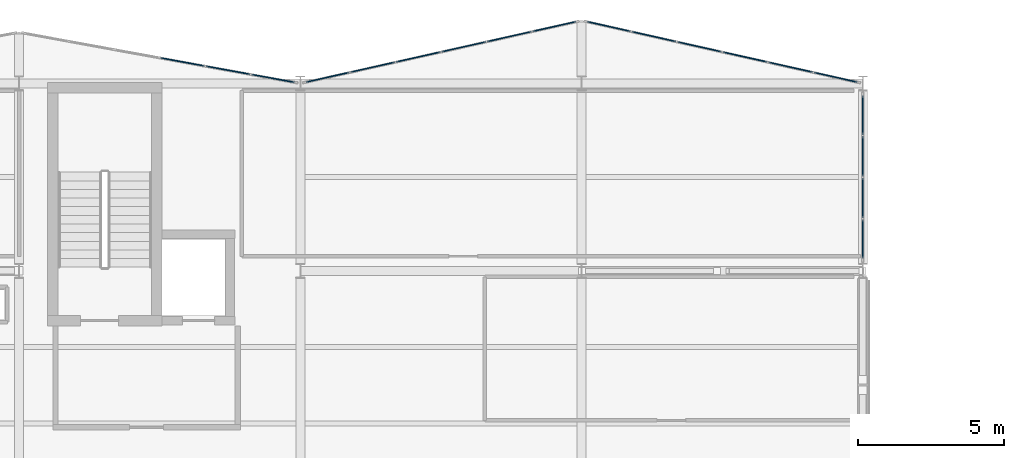
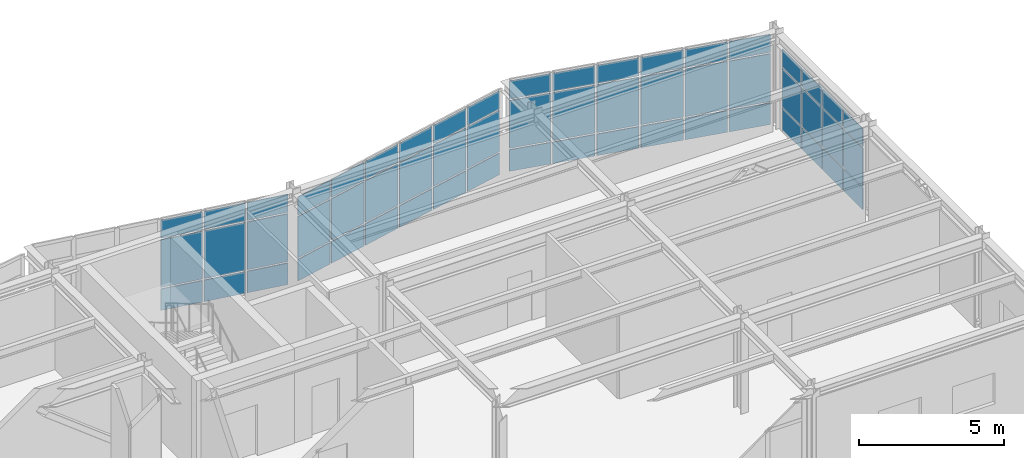
# One storey, part 56 of 76: 57 plates, 4 elements without a shape of their own.
"""IFC4 building model written with IfcOpenShell, lengths in metres."""

from ifc_helpers import new_model, si_unit, direction, frame, origin, origin_2d, place, context, subcontext, project, spatial, rectangle, extrude, material, layer, layer_set, type_object, element, aggregate, save


model = new_model("IFC4")

# Units and contexts
model_context = context("Model", 3, precision=1e-05, world=origin(), true_north=direction((0.0, 1.0)))
body_context = subcontext(model_context, "Body", "Model", "MODEL_VIEW")
ifc_project = project(units=[si_unit("LENGTHUNIT", "METRE"), si_unit("AREAUNIT", "SQUARE_METRE"), si_unit("VOLUMEUNIT", "CUBIC_METRE"), si_unit("PLANEANGLEUNIT", "RADIAN"), si_unit("MASSUNIT", "GRAM", prefix="KILO")], contexts=[model_context])

# Site, building, storey
site_placement = place(None, origin())
site = spatial("IfcSite", under=ifc_project, at=site_placement, CompositionType="ELEMENT")
building_placement = place(site_placement, origin())
building = spatial("IfcBuilding", under=site, at=building_placement, Name="Nordkorset Police Headquarters", CompositionType="ELEMENT")
storey_placement = place(building_placement, frame((0.0, 0.0, 13.64990234375)))
storey = spatial("IfcBuildingStorey", under=building, at=storey_placement, Name="L03", CompositionType="ELEMENT", Elevation=13.64990234375)

# Curtain wall, plates
ifc_material_1 = material(Name="Aluminium alloy AW-6060", Category="aluminium")
ifc_layer_1 = layer(ifc_material_1, 0.179931640625, Name="Aluminium alloy AW-6060")
ifc_layer_set_1 = layer_set([ifc_layer_1], Name="Aluminium alloy AW-6060")
curtain_wall_type_1 = type_object("IfcCurtainWallType", Name="CW_Unit_948x392", PredefinedType="USERDEFINED", material=ifc_layer_set_1)
curtain_wall_1_placement = place(storey_placement, origin())
curtain_wall_1 = element("IfcCurtainWall", 1, at=curtain_wall_1_placement, inside=storey, type_object=curtain_wall_type_1, Name="Unitised Curtain Wall L03 V2N-3", ObjectType="UNITISED CURTAIN WALL", PredefinedType="USERDEFINED")
ifc_material_2 = material(Name="Low-iron triple glazing", Category="glass")
ifc_layer_2 = layer(ifc_material_2, 0.035888671875, Name="Low-iron triple glazing")
ifc_layer_set_2 = layer_set([ifc_layer_2], Name="Low-iron triple glazing")
plate_type = type_object("IfcPlateType", Name="CW_Panel_TripleGlazing_36", PredefinedType="CURTAIN_PANEL", material=ifc_layer_set_2)
plate_1_placement = place(storey_placement, frame((63.177001953125, 117.533447265625, 0.06494140625), z_axis=(0.0, 0.0, 1.0), x_axis=(0.983787934979, -0.179335715876, 0.0)))
plate_1 = element("IfcPlate", 2, at=plate_1_placement, type_object=plate_type, Name="CW-65 panel 4.1", PredefinedType="CURTAIN_PANEL", context=body_context, shape_type="SweptSolid", body=[
    extrude(rectangle(XDim=1.5146484375, YDim=0.035888671875, at=origin_2d()), origin(), (0.0, 0.0, 1.0), 0.902587890625),
])
plate_2_placement = place(storey_placement, frame((63.177001953125, 117.533447265625, 1.03271484375), z_axis=(0.0, 0.0, 1.0), x_axis=(0.983787934979, -0.179335715876, 0.0)))
plate_2 = element("IfcPlate", 3, at=plate_2_placement, type_object=plate_type, Name="CW-65 panel 4.2", PredefinedType="CURTAIN_PANEL", context=body_context, shape_type="SweptSolid", body=[
    extrude(rectangle(XDim=1.5146484375, YDim=0.035888671875, at=origin_2d()), origin(), (0.0, 0.0, 1.0), 2.0048828125),
])
plate_3_placement = place(storey_placement, frame((63.177001953125, 117.533447265625, 3.1025390625), z_axis=(0.0, 0.0, 1.0), x_axis=(0.983787934979, -0.179335715876, 0.0)))
plate_3 = element("IfcPlate", 4, at=plate_3_placement, type_object=plate_type, Name="CW-65 panel 4.3", PredefinedType="CURTAIN_PANEL", context=body_context, shape_type="SweptSolid", body=[
    extrude(rectangle(XDim=1.5146484375, YDim=0.035888671875, at=origin_2d()), origin(), (0.0, 0.0, 1.0), 0.75244140625),
])
plate_4_placement = place(storey_placement, frame((64.731201171875, 117.25, 0.06494140625), z_axis=(0.0, 0.0, 1.0), x_axis=(0.983787934979, -0.179335715876, 0.0)))
plate_4 = element("IfcPlate", 5, at=plate_4_placement, type_object=plate_type, Name="CW-65 panel 5.1", PredefinedType="CURTAIN_PANEL", context=body_context, shape_type="SweptSolid", body=[
    extrude(rectangle(XDim=1.5146484375, YDim=0.035888671875, at=origin_2d()), origin(), (0.0, 0.0, 1.0), 0.902587890625),
])
plate_5_placement = place(storey_placement, frame((64.731201171875, 117.25, 1.03271484375), z_axis=(0.0, 0.0, 1.0), x_axis=(0.983787934979, -0.179335715876, 0.0)))
plate_5 = element("IfcPlate", 6, at=plate_5_placement, type_object=plate_type, Name="CW-65 panel 5.2", PredefinedType="CURTAIN_PANEL", context=body_context, shape_type="SweptSolid", body=[
    extrude(rectangle(XDim=1.5146484375, YDim=0.035888671875, at=origin_2d()), origin(), (0.0, 0.0, 1.0), 2.0048828125),
])
plate_6_placement = place(storey_placement, frame((64.731201171875, 117.25, 3.1025390625), z_axis=(0.0, 0.0, 1.0), x_axis=(0.983787934979, -0.179335715876, 0.0)))
plate_6 = element("IfcPlate", 7, at=plate_6_placement, type_object=plate_type, Name="CW-65 panel 5.3", PredefinedType="CURTAIN_PANEL", context=body_context, shape_type="SweptSolid", body=[
    extrude(rectangle(XDim=1.5146484375, YDim=0.035888671875, at=origin_2d()), origin(), (0.0, 0.0, 1.0), 0.75244140625),
])
plate_7_placement = place(storey_placement, frame((66.269287109375, 116.9697265625, 0.06494140625), z_axis=(0.0, 0.0, 1.0), x_axis=(0.983787934979, -0.179335715876, 0.0)))
plate_7 = element("IfcPlate", 8, at=plate_7_placement, type_object=plate_type, Name="CW-65 panel 6.1", PredefinedType="CURTAIN_PANEL", context=body_context, shape_type="SweptSolid", body=[
    extrude(rectangle(XDim=1.482177734375, YDim=0.035888671875, at=origin_2d()), origin(), (0.0, 0.0, 1.0), 0.902587890625),
])
plate_8_placement = place(storey_placement, frame((66.269287109375, 116.9697265625, 1.03271484375), z_axis=(0.0, 0.0, 1.0), x_axis=(0.983787934979, -0.179335715876, 0.0)))
plate_8 = element("IfcPlate", 9, at=plate_8_placement, type_object=plate_type, Name="CW-65 panel 6.2", PredefinedType="CURTAIN_PANEL", context=body_context, shape_type="SweptSolid", body=[
    extrude(rectangle(XDim=1.482177734375, YDim=0.035888671875, at=origin_2d()), origin(), (0.0, 0.0, 1.0), 2.0048828125),
])
plate_9_placement = place(storey_placement, frame((66.269287109375, 116.9697265625, 3.1025390625), z_axis=(0.0, 0.0, 1.0), x_axis=(0.983787934979, -0.179335715876, 0.0)))
plate_9 = element("IfcPlate", 10, at=plate_9_placement, type_object=plate_type, Name="CW-65 panel 6.3", PredefinedType="CURTAIN_PANEL", context=body_context, shape_type="SweptSolid", body=[
    extrude(rectangle(XDim=1.482177734375, YDim=0.035888671875, at=origin_2d()), origin(), (0.0, 0.0, 1.0), 0.75244140625),
])
aggregate(curtain_wall_1, [plate_1, plate_2, plate_3, plate_4, plate_5, plate_6, plate_7, plate_8, plate_9])

ifc_material_3 = material(Name="Aluminium alloy AW-6060", Category="aluminium")
ifc_layer_3 = layer(ifc_material_3, 0.179931640625, Name="Aluminium alloy AW-6060")
ifc_layer_set_3 = layer_set([ifc_layer_3], Name="Aluminium alloy AW-6060")
curtain_wall_type_2 = type_object("IfcCurtainWallType", Name="CW_Unit_956x365", PredefinedType="USERDEFINED", material=ifc_layer_set_3)
curtain_wall_2_placement = place(storey_placement, origin())
curtain_wall_2 = element("IfcCurtainWall", 11, at=curtain_wall_2_placement, inside=storey, type_object=curtain_wall_type_2, Name="Unitised Curtain Wall L03 V2N-4", ObjectType="UNITISED CURTAIN WALL", PredefinedType="USERDEFINED")
plate_10_placement = place(storey_placement, frame((68.129638671875, 117.00830078125, 0.06494140625), z_axis=(0.0, 0.0, 1.0), x_axis=(0.975827090814, 0.218544020358, 0.0)))
plate_10 = element("IfcPlate", 12, at=plate_10_placement, type_object=plate_type, Name="CW-85 panel 1.1", PredefinedType="CURTAIN_PANEL", context=body_context, shape_type="SweptSolid", body=[
    extrude(rectangle(XDim=1.495361328125, YDim=0.035888671875, at=origin_2d()), origin(), (0.0, 0.0, 1.0), 0.902587890625),
])
plate_11_placement = place(storey_placement, frame((68.129638671875, 117.00830078125, 1.03271484375), z_axis=(0.0, 0.0, 1.0), x_axis=(0.975827090814, 0.218544020358, 0.0)))
plate_11 = element("IfcPlate", 13, at=plate_11_placement, type_object=plate_type, Name="CW-85 panel 1.2", PredefinedType="CURTAIN_PANEL", context=body_context, shape_type="SweptSolid", body=[
    extrude(rectangle(XDim=1.495361328125, YDim=0.035888671875, at=origin_2d()), origin(), (0.0, 0.0, 1.0), 1.735107421875),
])
plate_12_placement = place(storey_placement, frame((68.129638671875, 117.00830078125, 2.83251953125), z_axis=(0.0, 0.0, 1.0), x_axis=(0.975827090814, 0.218544020358, 0.0)))
plate_12 = element("IfcPlate", 14, at=plate_12_placement, type_object=plate_type, Name="CW-85 panel 1.3", PredefinedType="CURTAIN_PANEL", context=body_context, shape_type="SweptSolid", body=[
    extrude(rectangle(XDim=1.495361328125, YDim=0.035888671875, at=origin_2d()), origin(), (0.0, 0.0, 1.0), 0.75244140625),
])
plate_13_placement = place(storey_placement, frame((69.668212890625, 117.352783203125, 0.06494140625), z_axis=(0.0, 0.0, 1.0), x_axis=(0.975827090814, 0.218544020358, 0.0)))
plate_13 = element("IfcPlate", 15, at=plate_13_placement, type_object=plate_type, Name="CW-85 panel 2.1", PredefinedType="CURTAIN_PANEL", context=body_context, shape_type="SweptSolid", body=[
    extrude(rectangle(XDim=1.528076171875, YDim=0.035888671875, at=origin_2d()), origin(), (0.0, 0.0, 1.0), 0.902587890625),
])
plate_14_placement = place(storey_placement, frame((69.668212890625, 117.352783203125, 1.03271484375), z_axis=(0.0, 0.0, 1.0), x_axis=(0.975827090814, 0.218544020358, 0.0)))
plate_14 = element("IfcPlate", 16, at=plate_14_placement, type_object=plate_type, Name="CW-85 panel 2.2", PredefinedType="CURTAIN_PANEL", context=body_context, shape_type="SweptSolid", body=[
    extrude(rectangle(XDim=1.528076171875, YDim=0.035888671875, at=origin_2d()), origin(), (0.0, 0.0, 1.0), 1.735107421875),
])
plate_15_placement = place(storey_placement, frame((69.668212890625, 117.352783203125, 2.83251953125), z_axis=(0.0, 0.0, 1.0), x_axis=(0.975827090814, 0.218544020358, 0.0)))
plate_15 = element("IfcPlate", 17, at=plate_15_placement, type_object=plate_type, Name="CW-85 panel 2.3", PredefinedType="CURTAIN_PANEL", context=body_context, shape_type="SweptSolid", body=[
    extrude(rectangle(XDim=1.528076171875, YDim=0.035888671875, at=origin_2d()), origin(), (0.0, 0.0, 1.0), 0.75244140625),
])
plate_16_placement = place(storey_placement, frame((71.22265625, 117.700927734375, 0.06494140625), z_axis=(0.0, 0.0, 1.0), x_axis=(0.975827090814, 0.218544020358, 0.0)))
plate_16 = element("IfcPlate", 18, at=plate_16_placement, type_object=plate_type, Name="CW-85 panel 3.1", PredefinedType="CURTAIN_PANEL", context=body_context, shape_type="SweptSolid", body=[
    extrude(rectangle(XDim=1.528076171875, YDim=0.035888671875, at=origin_2d()), origin(), (0.0, 0.0, 1.0), 0.902587890625),
])
plate_17_placement = place(storey_placement, frame((71.22265625, 117.700927734375, 1.03271484375), z_axis=(0.0, 0.0, 1.0), x_axis=(0.975827090814, 0.218544020358, 0.0)))
plate_17 = element("IfcPlate", 19, at=plate_17_placement, type_object=plate_type, Name="CW-85 panel 3.2", PredefinedType="CURTAIN_PANEL", context=body_context, shape_type="SweptSolid", body=[
    extrude(rectangle(XDim=1.528076171875, YDim=0.035888671875, at=origin_2d()), origin(), (0.0, 0.0, 1.0), 1.735107421875),
])
plate_18_placement = place(storey_placement, frame((71.22265625, 117.700927734375, 2.83251953125), z_axis=(0.0, 0.0, 1.0), x_axis=(0.975827090814, 0.218544020358, 0.0)))
plate_18 = element("IfcPlate", 20, at=plate_18_placement, type_object=plate_type, Name="CW-85 panel 3.3", PredefinedType="CURTAIN_PANEL", context=body_context, shape_type="SweptSolid", body=[
    extrude(rectangle(XDim=1.528076171875, YDim=0.035888671875, at=origin_2d()), origin(), (0.0, 0.0, 1.0), 0.75244140625),
])
plate_19_placement = place(storey_placement, frame((72.77734375, 118.049072265625, 0.06494140625), z_axis=(0.0, 0.0, 1.0), x_axis=(0.975827090814, 0.218544020358, 0.0)))
plate_19 = element("IfcPlate", 21, at=plate_19_placement, type_object=plate_type, Name="CW-85 panel 4.1", PredefinedType="CURTAIN_PANEL", context=body_context, shape_type="SweptSolid", body=[
    extrude(rectangle(XDim=1.528076171875, YDim=0.035888671875, at=origin_2d()), origin(), (0.0, 0.0, 1.0), 0.902587890625),
])
plate_20_placement = place(storey_placement, frame((72.77734375, 118.049072265625, 1.03271484375), z_axis=(0.0, 0.0, 1.0), x_axis=(0.975827090814, 0.218544020358, 0.0)))
plate_20 = element("IfcPlate", 22, at=plate_20_placement, type_object=plate_type, Name="CW-85 panel 4.2", PredefinedType="CURTAIN_PANEL", context=body_context, shape_type="SweptSolid", body=[
    extrude(rectangle(XDim=1.528076171875, YDim=0.035888671875, at=origin_2d()), origin(), (0.0, 0.0, 1.0), 1.735107421875),
])
plate_21_placement = place(storey_placement, frame((72.77734375, 118.049072265625, 2.83251953125), z_axis=(0.0, 0.0, 1.0), x_axis=(0.975827090814, 0.218544020358, 0.0)))
plate_21 = element("IfcPlate", 23, at=plate_21_placement, type_object=plate_type, Name="CW-85 panel 4.3", PredefinedType="CURTAIN_PANEL", context=body_context, shape_type="SweptSolid", body=[
    extrude(rectangle(XDim=1.528076171875, YDim=0.035888671875, at=origin_2d()), origin(), (0.0, 0.0, 1.0), 0.75244140625),
])
plate_22_placement = place(storey_placement, frame((74.331787109375, 118.397216796875, 0.06494140625), z_axis=(0.0, 0.0, 1.0), x_axis=(0.975827090814, 0.218544020358, 0.0)))
plate_22 = element("IfcPlate", 24, at=plate_22_placement, type_object=plate_type, Name="CW-85 panel 5.1", PredefinedType="CURTAIN_PANEL", context=body_context, shape_type="SweptSolid", body=[
    extrude(rectangle(XDim=1.528076171875, YDim=0.035888671875, at=origin_2d()), origin(), (0.0, 0.0, 1.0), 0.902587890625),
])
plate_23_placement = place(storey_placement, frame((74.331787109375, 118.397216796875, 1.03271484375), z_axis=(0.0, 0.0, 1.0), x_axis=(0.975827090814, 0.218544020358, 0.0)))
plate_23 = element("IfcPlate", 25, at=plate_23_placement, type_object=plate_type, Name="CW-85 panel 5.2", PredefinedType="CURTAIN_PANEL", context=body_context, shape_type="SweptSolid", body=[
    extrude(rectangle(XDim=1.528076171875, YDim=0.035888671875, at=origin_2d()), origin(), (0.0, 0.0, 1.0), 1.735107421875),
])
plate_24_placement = place(storey_placement, frame((74.331787109375, 118.397216796875, 2.83251953125), z_axis=(0.0, 0.0, 1.0), x_axis=(0.975827090814, 0.218544020358, 0.0)))
plate_24 = element("IfcPlate", 26, at=plate_24_placement, type_object=plate_type, Name="CW-85 panel 5.3", PredefinedType="CURTAIN_PANEL", context=body_context, shape_type="SweptSolid", body=[
    extrude(rectangle(XDim=1.528076171875, YDim=0.035888671875, at=origin_2d()), origin(), (0.0, 0.0, 1.0), 0.75244140625),
])
plate_25_placement = place(storey_placement, frame((75.870361328125, 118.74169921875, 0.06494140625), z_axis=(0.0, 0.0, 1.0), x_axis=(0.975827090814, 0.218544020358, 0.0)))
plate_25 = element("IfcPlate", 27, at=plate_25_placement, type_object=plate_type, Name="CW-85 panel 6.1", PredefinedType="CURTAIN_PANEL", context=body_context, shape_type="SweptSolid", body=[
    extrude(rectangle(XDim=1.495361328125, YDim=0.035888671875, at=origin_2d()), origin(), (0.0, 0.0, 1.0), 0.902587890625),
])
plate_26_placement = place(storey_placement, frame((75.870361328125, 118.74169921875, 1.03271484375), z_axis=(0.0, 0.0, 1.0), x_axis=(0.975827090814, 0.218544020358, 0.0)))
plate_26 = element("IfcPlate", 28, at=plate_26_placement, type_object=plate_type, Name="CW-85 panel 6.2", PredefinedType="CURTAIN_PANEL", context=body_context, shape_type="SweptSolid", body=[
    extrude(rectangle(XDim=1.495361328125, YDim=0.035888671875, at=origin_2d()), origin(), (0.0, 0.0, 1.0), 1.735107421875),
])
plate_27_placement = place(storey_placement, frame((75.870361328125, 118.74169921875, 2.83251953125), z_axis=(0.0, 0.0, 1.0), x_axis=(0.975827090814, 0.218544020358, 0.0)))
plate_27 = element("IfcPlate", 29, at=plate_27_placement, type_object=plate_type, Name="CW-85 panel 6.3", PredefinedType="CURTAIN_PANEL", context=body_context, shape_type="SweptSolid", body=[
    extrude(rectangle(XDim=1.495361328125, YDim=0.035888671875, at=origin_2d()), origin(), (0.0, 0.0, 1.0), 0.75244140625),
])
aggregate(curtain_wall_2, [plate_10, plate_11, plate_12, plate_13, plate_14, plate_15, plate_16, plate_17, plate_18, plate_19, plate_20, plate_21, plate_22, plate_23, plate_24, plate_25, plate_26, plate_27])

ifc_material_4 = material(Name="Aluminium alloy AW-6060", Category="aluminium")
ifc_layer_4 = layer(ifc_material_4, 0.179931640625, Name="Aluminium alloy AW-6060")
ifc_layer_set_4 = layer_set([ifc_layer_4], Name="Aluminium alloy AW-6060")
curtain_wall_type_3 = type_object("IfcCurtainWallType", Name="CW_Unit_956x392", PredefinedType="USERDEFINED", material=ifc_layer_set_4)
curtain_wall_3_placement = place(storey_placement, origin())
curtain_wall_3 = element("IfcCurtainWall", 30, at=curtain_wall_3_placement, inside=storey, type_object=curtain_wall_type_3, Name="Unitised Curtain Wall L03 V2N-5", ObjectType="UNITISED CURTAIN WALL", PredefinedType="USERDEFINED")
plate_28_placement = place(storey_placement, frame((77.729736328125, 118.74169921875, 0.06494140625), z_axis=(0.0, 0.0, 1.0), x_axis=(0.975827090814, -0.218544020358, 0.0)))
plate_28 = element("IfcPlate", 31, at=plate_28_placement, type_object=plate_type, Name="CW-41 panel 1.1", PredefinedType="CURTAIN_PANEL", context=body_context, shape_type="SweptSolid", body=[
    extrude(rectangle(XDim=1.495361328125, YDim=0.035888671875, at=origin_2d()), origin(), (0.0, 0.0, 1.0), 0.902587890625),
])
plate_29_placement = place(storey_placement, frame((77.729736328125, 118.74169921875, 1.03271484375), z_axis=(0.0, 0.0, 1.0), x_axis=(0.975827090814, -0.218544020358, 0.0)))
plate_29 = element("IfcPlate", 32, at=plate_29_placement, type_object=plate_type, Name="CW-41 panel 1.2", PredefinedType="CURTAIN_PANEL", context=body_context, shape_type="SweptSolid", body=[
    extrude(rectangle(XDim=1.495361328125, YDim=0.035888671875, at=origin_2d()), origin(), (0.0, 0.0, 1.0), 2.0048828125),
])
plate_30_placement = place(storey_placement, frame((77.729736328125, 118.74169921875, 3.1025390625), z_axis=(0.0, 0.0, 1.0), x_axis=(0.975827090814, -0.218544020358, 0.0)))
plate_30 = element("IfcPlate", 33, at=plate_30_placement, type_object=plate_type, Name="CW-41 panel 1.3", PredefinedType="CURTAIN_PANEL", context=body_context, shape_type="SweptSolid", body=[
    extrude(rectangle(XDim=1.495361328125, YDim=0.035888671875, at=origin_2d()), origin(), (0.0, 0.0, 1.0), 0.75244140625),
])
plate_31_placement = place(storey_placement, frame((79.268310546875, 118.397216796875, 0.06494140625), z_axis=(0.0, 0.0, 1.0), x_axis=(0.975827090814, -0.218544020358, 0.0)))
plate_31 = element("IfcPlate", 34, at=plate_31_placement, type_object=plate_type, Name="CW-41 panel 2.1", PredefinedType="CURTAIN_PANEL", context=body_context, shape_type="SweptSolid", body=[
    extrude(rectangle(XDim=1.528076171875, YDim=0.035888671875, at=origin_2d()), origin(), (0.0, 0.0, 1.0), 0.902587890625),
])
plate_32_placement = place(storey_placement, frame((79.268310546875, 118.397216796875, 1.03271484375), z_axis=(0.0, 0.0, 1.0), x_axis=(0.975827090814, -0.218544020358, 0.0)))
plate_32 = element("IfcPlate", 35, at=plate_32_placement, type_object=plate_type, Name="CW-41 panel 2.2", PredefinedType="CURTAIN_PANEL", context=body_context, shape_type="SweptSolid", body=[
    extrude(rectangle(XDim=1.528076171875, YDim=0.035888671875, at=origin_2d()), origin(), (0.0, 0.0, 1.0), 2.0048828125),
])
plate_33_placement = place(storey_placement, frame((79.268310546875, 118.397216796875, 3.1025390625), z_axis=(0.0, 0.0, 1.0), x_axis=(0.975827090814, -0.218544020358, 0.0)))
plate_33 = element("IfcPlate", 36, at=plate_33_placement, type_object=plate_type, Name="CW-41 panel 2.3", PredefinedType="CURTAIN_PANEL", context=body_context, shape_type="SweptSolid", body=[
    extrude(rectangle(XDim=1.528076171875, YDim=0.035888671875, at=origin_2d()), origin(), (0.0, 0.0, 1.0), 0.75244140625),
])
plate_34_placement = place(storey_placement, frame((80.82275390625, 118.049072265625, 0.06494140625), z_axis=(0.0, 0.0, 1.0), x_axis=(0.975827090814, -0.218544020358, 0.0)))
plate_34 = element("IfcPlate", 37, at=plate_34_placement, type_object=plate_type, Name="CW-41 panel 3.1", PredefinedType="CURTAIN_PANEL", context=body_context, shape_type="SweptSolid", body=[
    extrude(rectangle(XDim=1.528076171875, YDim=0.035888671875, at=origin_2d()), origin(), (0.0, 0.0, 1.0), 0.902587890625),
])
plate_35_placement = place(storey_placement, frame((80.82275390625, 118.049072265625, 1.03271484375), z_axis=(0.0, 0.0, 1.0), x_axis=(0.975827090814, -0.218544020358, 0.0)))
plate_35 = element("IfcPlate", 38, at=plate_35_placement, type_object=plate_type, Name="CW-41 panel 3.2", PredefinedType="CURTAIN_PANEL", context=body_context, shape_type="SweptSolid", body=[
    extrude(rectangle(XDim=1.528076171875, YDim=0.035888671875, at=origin_2d()), origin(), (0.0, 0.0, 1.0), 2.0048828125),
])
plate_36_placement = place(storey_placement, frame((80.82275390625, 118.049072265625, 3.1025390625), z_axis=(0.0, 0.0, 1.0), x_axis=(0.975827090814, -0.218544020358, 0.0)))
plate_36 = element("IfcPlate", 39, at=plate_36_placement, type_object=plate_type, Name="CW-41 panel 3.3", PredefinedType="CURTAIN_PANEL", context=body_context, shape_type="SweptSolid", body=[
    extrude(rectangle(XDim=1.528076171875, YDim=0.035888671875, at=origin_2d()), origin(), (0.0, 0.0, 1.0), 0.75244140625),
])
plate_37_placement = place(storey_placement, frame((82.377197265625, 117.700927734375, 0.06494140625), z_axis=(0.0, 0.0, 1.0), x_axis=(0.975827090814, -0.218544020358, 0.0)))
plate_37 = element("IfcPlate", 40, at=plate_37_placement, type_object=plate_type, Name="CW-41 panel 4.1", PredefinedType="CURTAIN_PANEL", context=body_context, shape_type="SweptSolid", body=[
    extrude(rectangle(XDim=1.528076171875, YDim=0.035888671875, at=origin_2d()), origin(), (0.0, 0.0, 1.0), 0.902587890625),
])
plate_38_placement = place(storey_placement, frame((82.377197265625, 117.700927734375, 1.03271484375), z_axis=(0.0, 0.0, 1.0), x_axis=(0.975827090814, -0.218544020358, 0.0)))
plate_38 = element("IfcPlate", 41, at=plate_38_placement, type_object=plate_type, Name="CW-41 panel 4.2", PredefinedType="CURTAIN_PANEL", context=body_context, shape_type="SweptSolid", body=[
    extrude(rectangle(XDim=1.528076171875, YDim=0.035888671875, at=origin_2d()), origin(), (0.0, 0.0, 1.0), 2.0048828125),
])
plate_39_placement = place(storey_placement, frame((82.377197265625, 117.700927734375, 3.1025390625), z_axis=(0.0, 0.0, 1.0), x_axis=(0.975827090814, -0.218544020358, 0.0)))
plate_39 = element("IfcPlate", 42, at=plate_39_placement, type_object=plate_type, Name="CW-41 panel 4.3", PredefinedType="CURTAIN_PANEL", context=body_context, shape_type="SweptSolid", body=[
    extrude(rectangle(XDim=1.528076171875, YDim=0.035888671875, at=origin_2d()), origin(), (0.0, 0.0, 1.0), 0.75244140625),
])
plate_40_placement = place(storey_placement, frame((83.931640625, 117.352783203125, 0.06494140625), z_axis=(0.0, 0.0, 1.0), x_axis=(0.975827090814, -0.218544020358, 0.0)))
plate_40 = element("IfcPlate", 43, at=plate_40_placement, type_object=plate_type, Name="CW-41 panel 5.1", PredefinedType="CURTAIN_PANEL", context=body_context, shape_type="SweptSolid", body=[
    extrude(rectangle(XDim=1.528076171875, YDim=0.035888671875, at=origin_2d()), origin(), (0.0, 0.0, 1.0), 0.902587890625),
])
plate_41_placement = place(storey_placement, frame((83.931640625, 117.352783203125, 1.03271484375), z_axis=(0.0, 0.0, 1.0), x_axis=(0.975827090814, -0.218544020358, 0.0)))
plate_41 = element("IfcPlate", 44, at=plate_41_placement, type_object=plate_type, Name="CW-41 panel 5.2", PredefinedType="CURTAIN_PANEL", context=body_context, shape_type="SweptSolid", body=[
    extrude(rectangle(XDim=1.528076171875, YDim=0.035888671875, at=origin_2d()), origin(), (0.0, 0.0, 1.0), 2.0048828125),
])
plate_42_placement = place(storey_placement, frame((83.931640625, 117.352783203125, 3.1025390625), z_axis=(0.0, 0.0, 1.0), x_axis=(0.975827090814, -0.218544020358, 0.0)))
plate_42 = element("IfcPlate", 45, at=plate_42_placement, type_object=plate_type, Name="CW-41 panel 5.3", PredefinedType="CURTAIN_PANEL", context=body_context, shape_type="SweptSolid", body=[
    extrude(rectangle(XDim=1.528076171875, YDim=0.035888671875, at=origin_2d()), origin(), (0.0, 0.0, 1.0), 0.75244140625),
])
plate_43_placement = place(storey_placement, frame((85.47021484375, 117.00830078125, 0.06494140625), z_axis=(0.0, 0.0, 1.0), x_axis=(0.975827090814, -0.218544020358, 0.0)))
plate_43 = element("IfcPlate", 46, at=plate_43_placement, type_object=plate_type, Name="CW-41 panel 6.1", PredefinedType="CURTAIN_PANEL", context=body_context, shape_type="SweptSolid", body=[
    extrude(rectangle(XDim=1.495361328125, YDim=0.035888671875, at=origin_2d()), origin(), (0.0, 0.0, 1.0), 0.902587890625),
])
plate_44_placement = place(storey_placement, frame((85.47021484375, 117.00830078125, 1.03271484375), z_axis=(0.0, 0.0, 1.0), x_axis=(0.975827090814, -0.218544020358, 0.0)))
plate_44 = element("IfcPlate", 47, at=plate_44_placement, type_object=plate_type, Name="CW-41 panel 6.2", PredefinedType="CURTAIN_PANEL", context=body_context, shape_type="SweptSolid", body=[
    extrude(rectangle(XDim=1.495361328125, YDim=0.035888671875, at=origin_2d()), origin(), (0.0, 0.0, 1.0), 2.0048828125),
])
plate_45_placement = place(storey_placement, frame((85.47021484375, 117.00830078125, 3.1025390625), z_axis=(0.0, 0.0, 1.0), x_axis=(0.975827090814, -0.218544020358, 0.0)))
plate_45 = element("IfcPlate", 48, at=plate_45_placement, type_object=plate_type, Name="CW-41 panel 6.3", PredefinedType="CURTAIN_PANEL", context=body_context, shape_type="SweptSolid", body=[
    extrude(rectangle(XDim=1.495361328125, YDim=0.035888671875, at=origin_2d()), origin(), (0.0, 0.0, 1.0), 0.75244140625),
])
aggregate(curtain_wall_3, [plate_28, plate_29, plate_30, plate_31, plate_32, plate_33, plate_34, plate_35, plate_36, plate_37, plate_38, plate_39, plate_40, plate_41, plate_42, plate_43, plate_44, plate_45])

ifc_material_5 = material(Name="Aluminium alloy AW-6060", Category="aluminium")
ifc_layer_5 = layer(ifc_material_5, 0.179931640625, Name="Aluminium alloy AW-6060")
ifc_layer_set_5 = layer_set([ifc_layer_5], Name="Aluminium alloy AW-6060")
curtain_wall_type_4 = type_object("IfcCurtainWallType", Name="CW_Unit_568x352", PredefinedType="USERDEFINED", material=ifc_layer_set_5)
curtain_wall_4_placement = place(storey_placement, origin())
curtain_wall_4 = element("IfcCurtainWall", 49, at=curtain_wall_4_placement, inside=storey, type_object=curtain_wall_type_4, Name="Unitised Curtain Wall L03 V2E-1", ObjectType="UNITISED CURTAIN WALL", PredefinedType="USERDEFINED")
plate_46_placement = place(storey_placement, frame((86.39990234375, 111.486328125, 0.06494140625), z_axis=(0.0, 0.0, 1.0), x_axis=(0.0, 1.0, 0.0)))
plate_46 = element("IfcPlate", 50, at=plate_46_placement, type_object=plate_type, Name="CW-05 panel 1.1", PredefinedType="CURTAIN_PANEL", context=body_context, shape_type="SweptSolid", body=[
    extrude(rectangle(XDim=1.322509765625, YDim=0.035888671875, at=origin_2d()), origin(), (0.0, 0.0, 1.0), 0.902587890625),
])
plate_47_placement = place(storey_placement, frame((86.39990234375, 111.486328125, 1.03271484375), z_axis=(0.0, 0.0, 1.0), x_axis=(0.0, 1.0, 0.0)))
plate_47 = element("IfcPlate", 51, at=plate_47_placement, type_object=plate_type, Name="CW-05 panel 1.2", PredefinedType="CURTAIN_PANEL", context=body_context, shape_type="SweptSolid", body=[
    extrude(rectangle(XDim=1.322509765625, YDim=0.035888671875, at=origin_2d()), origin(), (0.0, 0.0, 1.0), 1.60498046875),
])
plate_48_placement = place(storey_placement, frame((86.39990234375, 111.486328125, 2.70263671875), z_axis=(0.0, 0.0, 1.0), x_axis=(0.0, 1.0, 0.0)))
plate_48 = element("IfcPlate", 52, at=plate_48_placement, type_object=plate_type, Name="CW-05 panel 1.3", PredefinedType="CURTAIN_PANEL", context=body_context, shape_type="SweptSolid", body=[
    extrude(rectangle(XDim=1.322509765625, YDim=0.035888671875, at=origin_2d()), origin(), (0.0, 0.0, 1.0), 0.75244140625),
])
plate_49_placement = place(storey_placement, frame((86.39990234375, 112.889892578125, 0.06494140625), z_axis=(0.0, 0.0, 1.0), x_axis=(0.0, 1.0, 0.0)))
plate_49 = element("IfcPlate", 53, at=plate_49_placement, type_object=plate_type, Name="CW-05 panel 2.1", PredefinedType="CURTAIN_PANEL", context=body_context, shape_type="SweptSolid", body=[
    extrude(rectangle(XDim=1.35498046875, YDim=0.035888671875, at=origin_2d()), origin(), (0.0, 0.0, 1.0), 0.902587890625),
])
plate_50_placement = place(storey_placement, frame((86.39990234375, 112.889892578125, 1.03271484375), z_axis=(0.0, 0.0, 1.0), x_axis=(0.0, 1.0, 0.0)))
plate_50 = element("IfcPlate", 54, at=plate_50_placement, type_object=plate_type, Name="CW-05 panel 2.2", PredefinedType="CURTAIN_PANEL", context=body_context, shape_type="SweptSolid", body=[
    extrude(rectangle(XDim=1.35498046875, YDim=0.035888671875, at=origin_2d()), origin(), (0.0, 0.0, 1.0), 1.60498046875),
])
plate_51_placement = place(storey_placement, frame((86.39990234375, 112.889892578125, 2.70263671875), z_axis=(0.0, 0.0, 1.0), x_axis=(0.0, 1.0, 0.0)))
plate_51 = element("IfcPlate", 55, at=plate_51_placement, type_object=plate_type, Name="CW-05 panel 2.3", PredefinedType="CURTAIN_PANEL", context=body_context, shape_type="SweptSolid", body=[
    extrude(rectangle(XDim=1.35498046875, YDim=0.035888671875, at=origin_2d()), origin(), (0.0, 0.0, 1.0), 0.75244140625),
])
plate_52_placement = place(storey_placement, frame((86.39990234375, 114.31005859375, 0.06494140625), z_axis=(0.0, 0.0, 1.0), x_axis=(0.0, 1.0, 0.0)))
plate_52 = element("IfcPlate", 56, at=plate_52_placement, type_object=plate_type, Name="CW-05 panel 3.1", PredefinedType="CURTAIN_PANEL", context=body_context, shape_type="SweptSolid", body=[
    extrude(rectangle(XDim=1.35498046875, YDim=0.035888671875, at=origin_2d()), origin(), (0.0, 0.0, 1.0), 0.902587890625),
])
plate_53_placement = place(storey_placement, frame((86.39990234375, 114.31005859375, 1.03271484375), z_axis=(0.0, 0.0, 1.0), x_axis=(0.0, 1.0, 0.0)))
plate_53 = element("IfcPlate", 57, at=plate_53_placement, type_object=plate_type, Name="CW-05 panel 3.2", PredefinedType="CURTAIN_PANEL", context=body_context, shape_type="SweptSolid", body=[
    extrude(rectangle(XDim=1.35498046875, YDim=0.035888671875, at=origin_2d()), origin(), (0.0, 0.0, 1.0), 1.60498046875),
])
plate_54_placement = place(storey_placement, frame((86.39990234375, 114.31005859375, 2.70263671875), z_axis=(0.0, 0.0, 1.0), x_axis=(0.0, 1.0, 0.0)))
plate_54 = element("IfcPlate", 58, at=plate_54_placement, type_object=plate_type, Name="CW-05 panel 3.3", PredefinedType="CURTAIN_PANEL", context=body_context, shape_type="SweptSolid", body=[
    extrude(rectangle(XDim=1.35498046875, YDim=0.035888671875, at=origin_2d()), origin(), (0.0, 0.0, 1.0), 0.75244140625),
])
plate_55_placement = place(storey_placement, frame((86.39990234375, 115.7138671875, 0.06494140625), z_axis=(0.0, 0.0, 1.0), x_axis=(0.0, 1.0, 0.0)))
plate_55 = element("IfcPlate", 59, at=plate_55_placement, type_object=plate_type, Name="CW-05 panel 4.1", PredefinedType="CURTAIN_PANEL", context=body_context, shape_type="SweptSolid", body=[
    extrude(rectangle(XDim=1.322509765625, YDim=0.035888671875, at=origin_2d()), origin(), (0.0, 0.0, 1.0), 0.902587890625),
])
plate_56_placement = place(storey_placement, frame((86.39990234375, 115.7138671875, 1.03271484375), z_axis=(0.0, 0.0, 1.0), x_axis=(0.0, 1.0, 0.0)))
plate_56 = element("IfcPlate", 60, at=plate_56_placement, type_object=plate_type, Name="CW-05 panel 4.2", PredefinedType="CURTAIN_PANEL", context=body_context, shape_type="SweptSolid", body=[
    extrude(rectangle(XDim=1.322509765625, YDim=0.035888671875, at=origin_2d()), origin(), (0.0, 0.0, 1.0), 1.60498046875),
])
plate_57_placement = place(storey_placement, frame((86.39990234375, 115.7138671875, 2.70263671875), z_axis=(0.0, 0.0, 1.0), x_axis=(0.0, 1.0, 0.0)))
plate_57 = element("IfcPlate", 61, at=plate_57_placement, type_object=plate_type, Name="CW-05 panel 4.3", PredefinedType="CURTAIN_PANEL", context=body_context, shape_type="SweptSolid", body=[
    extrude(rectangle(XDim=1.322509765625, YDim=0.035888671875, at=origin_2d()), origin(), (0.0, 0.0, 1.0), 0.75244140625),
])
aggregate(curtain_wall_4, [plate_46, plate_47, plate_48, plate_49, plate_50, plate_51, plate_52, plate_53, plate_54, plate_55, plate_56, plate_57])

save(model, "model.ifc")
